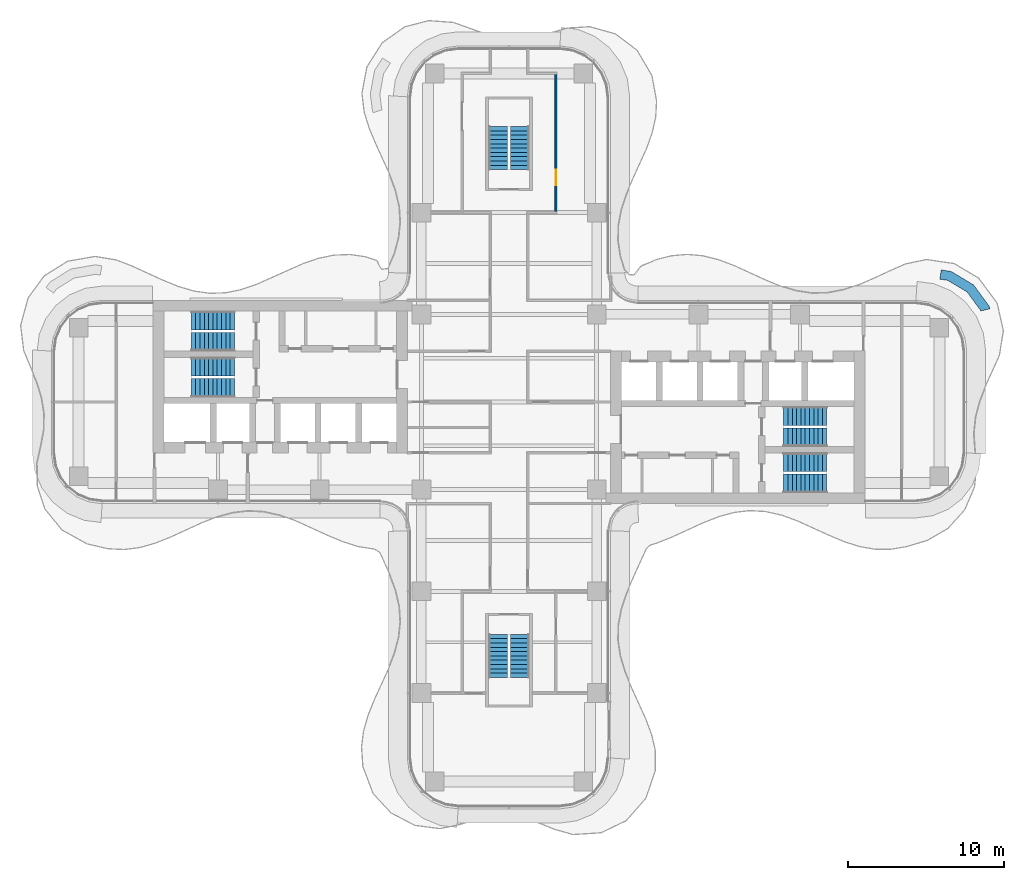
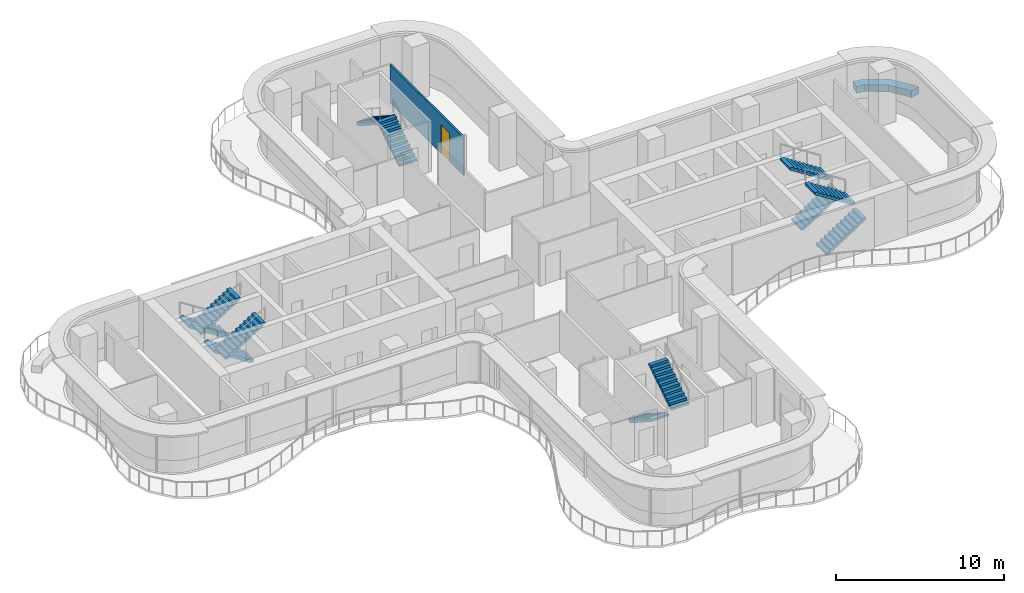
# One storey, part 16 of 18: 12 stair flights, 2 walls, 1 door, 1 opening, 6 elements without a shape of their own.
"""IFC4 building model written with IfcOpenShell, lengths in metres."""

from ifc_helpers import new_model, si_unit, direction, frame, frame_2d, origin, place, context, subcontext, project, spatial, polyline, rectangle, outline, extrude, source, transform, mapped, material, layer, layer_set, type_object, element, fill, aggregate, save


model = new_model("IFC4")

# Units and contexts
model_context = context("Model", 3, precision=1e-05, world=origin(), true_north=direction((0.0, 1.0)))
body_context = subcontext(model_context, "Body", "Model", "MODEL_VIEW")
ifc_project = project(units=[si_unit("LENGTHUNIT", "METRE"), si_unit("AREAUNIT", "SQUARE_METRE"), si_unit("VOLUMEUNIT", "CUBIC_METRE"), si_unit("PLANEANGLEUNIT", "RADIAN"), si_unit("MASSUNIT", "GRAM", prefix="KILO")], contexts=[model_context])

# Site, building, storey
site_placement = place(None, origin())
site = spatial("IfcSite", under=ifc_project, at=site_placement, CompositionType="ELEMENT")
building_placement = place(site_placement, origin())
building = spatial("IfcBuilding", under=site, at=building_placement, Name="Trellis Farm Tower", CompositionType="ELEMENT")
storey_placement = place(building_placement, frame((0.0, 0.0, 204.89990234375)))
storey = spatial("IfcBuildingStorey", under=building, at=storey_placement, Name="L45", CompositionType="ELEMENT", Elevation=204.89990234375)

# Wall
ifc_material_1 = material(Name="Sandstone faced masonry planter", Category="masonry")
ifc_layer_1 = layer(ifc_material_1, 0.60009765625)
ifc_layer_set_1 = layer_set([ifc_layer_1], Name="PLANTER BED 600")
wall_type_1 = type_object("IfcWallType", Name="PLANTER BED 600", PredefinedType="USERDEFINED", material=ifc_layer_set_1)
placement = place(storey_placement, origin())
element("IfcWall", 1, at=placement, inside=storey, type_object=wall_type_1, Name="PLANTER bed", ObjectType="PLANTER", PredefinedType="USERDEFINED", context=body_context, shape_type="SweptSolid", body=[
    extrude(outline(polyline([(28.24072265625, 8.347412109375), (29.680419921875, 7.48779296875), (30.690673828125, 6.113525390625), (30.7275390625, 5.95068359375), (30.14208984375, 5.818359375), (30.133056640625, 5.85888671875), (29.268798828125, 7.03466796875), (28.035400390625, 7.771240234375), (27.529296875, 7.845947265625), (27.61669921875, 8.439453125), (28.24072265625, 8.347412109375)])), origin(), (0.0, 0.0, 1.0), 0.5),
])

# Wall, opening, door
ifc_material_2 = material(Name="Plasterboard on steel studs, mineral wool", Category="steel")
ifc_layer_2 = layer(ifc_material_2, 0.125)
ifc_layer_set_2 = layer_set([ifc_layer_2], Name="PARTITION 125 STUD EI 60")
wall_type_2 = type_object("IfcWallType", Name="PARTITION 125 STUD EI 60", PredefinedType="PARTITIONING", material=ifc_layer_set_2)
shared_shape_1 = source(origin(), body_context, "Body", "SweptSolid", [
    extrude(rectangle(XDim=8.77490234375, YDim=0.125, at=frame_2d((4.387451171875, 0.0))), origin(), (0.0, 0.0, 1.0), 2.780029296875),
])
wall_2_placement = place(storey_placement, frame((3.0, 20.9375, 0.0), z_axis=(0.0, 0.0, 1.0), x_axis=(0.0, -1.0, 0.0)))
wall_2 = element("IfcWall", 2, at=wall_2_placement, inside=storey, type_object=wall_type_2, Name="Partition PW1", PredefinedType="PARTITIONING", context=body_context, shape_type="MappedRepresentation", body=[
    mapped(shared_shape_1, transform((0.0, 0.0, 0.0))),
])
shared_shape_2 = source(origin(), body_context, "Body", "SweptSolid", [
    extrude(rectangle(XDim=1.0, YDim=2.10009765625, at=frame_2d((0.5, 1.050048828125))), frame((0.0, 0.072509765625, 0.0), z_axis=(0.0, -1.0, 0.0), x_axis=(1.0, 0.0, 0.0)), (0.0, 0.0, 1.0), 0.14501953125),
])
opening_placement = place(wall_2_placement, frame((6.08740234375, 0.0, 0.0)))
opening = element("IfcOpeningElement", 3, at=opening_placement, cuts=wall_2, Name="Opening D111", PredefinedType="OPENING", context=body_context, shape_type="MappedRepresentation", body=[
    mapped(shared_shape_2, transform((0.0, 0.0, 0.0))),
])
ifc_material_3 = material(Name="Fire-rated timber door leaf in a hollow metal frame", Category="wood")
door_type = type_object("IfcDoorType", Name="DOOR 1000x2100 FD30S", OperationType="NOTDEFINED", PredefinedType="DOOR", material=ifc_material_3)
shared_shape_3 = source(origin(), body_context, "Body", "SweptSolid", [
    extrude(rectangle(XDim=1.0, YDim=2.10009765625, at=frame_2d((0.5, 1.050048828125))), frame((0.0, 0.02490234375, 0.0), z_axis=(0.0, -1.0, 0.0), x_axis=(1.0, 0.0, 0.0)), (0.0, 0.0, 1.0), 0.050048828125),
])
door_placement = place(opening_placement, origin())
door = element("IfcDoor", 4, at=door_placement, inside=storey, type_object=door_type, Name="Door D111", OperationType="SINGLE_SWING_RIGHT", OverallHeight=2.10009765625, OverallWidth=1.0, PredefinedType="DOOR", context=body_context, shape_type="MappedRepresentation", body=[
    mapped(shared_shape_3, transform((0.0, 0.0, 0.0))),
])
fill(opening, door)

# Stair, stair flights
ifc_material_4 = material(Name="Concrete C50/60", Category="concrete")
stair_type = type_object("IfcStairType", Name="CORE EXIT STAIR 22 RISERS 177 MM", PredefinedType="HALF_TURN_STAIR", material=ifc_material_4)
stair_1 = element("IfcStair", 5, at=placement, inside=storey, type_object=stair_type, Name="Exit stair N", PredefinedType="HALF_TURN_STAIR")
stair_flight_type = type_object("IfcStairFlightType", Name="STAIR FLIGHT 11 RISERS 177 MM", PredefinedType="STRAIGHT", material=ifc_material_4)
shared_shape_4 = source(origin(), body_context, "Body", "SweptSolid", [
    extrude(outline(polyline([(0.0, 0.0), (0.0, 0.17724609375), (0.27490234375, 0.17724609375), (0.27490234375, 0.3544921875), (0.550048828125, 0.3544921875), (0.550048828125, 0.53173828125), (0.824951171875, 0.53173828125), (0.824951171875, 0.708984375), (1.10009765625, 0.708984375), (1.10009765625, 0.886474609375), (1.375, 0.886474609375), (1.375, 1.063720703125), (1.64990234375, 1.063720703125), (1.64990234375, 1.240966796875), (1.925048828125, 1.240966796875), (1.925048828125, 1.418212890625), (2.199951171875, 1.418212890625), (2.199951171875, 1.595458984375), (2.47509765625, 1.595458984375), (2.47509765625, 1.772705078125), (2.75, 1.772705078125), (2.75, 1.949951171875), (2.75, 1.6181640625), (0.23974609375, 0.0), (0.0, 0.0)])), frame((0.0, 0.60009765625, 0.0), z_axis=(0.0, -1.0, 0.0), x_axis=(1.0, 0.0, 0.0)), (0.0, 0.0, 1.0), 1.199951171875),
])
stair_flight_1_placement = place(storey_placement, frame((0.699951171875, 14.85009765625, 0.0), z_axis=(0.0, 0.0, 1.0), x_axis=(0.0, 1.0, 0.0)))
stair_flight_1 = element("IfcStairFlight", 6, at=stair_flight_1_placement, type_object=stair_flight_type, Name="STN flight 1", NumberOfRisers=11, NumberOfTreads=10, PredefinedType="STRAIGHT", RiserHeight=0.177272727, TreadLength=0.275, context=body_context, shape_type="MappedRepresentation", body=[
    mapped(shared_shape_4, transform((0.0, 0.0, 0.0))),
])
stair_flight_2_placement = place(storey_placement, frame((-0.699951171875, 17.60009765625, 1.9501953125), z_axis=(0.0, 0.0, 1.0), x_axis=(0.0, -1.0, 0.0)))
stair_flight_2 = element("IfcStairFlight", 7, at=stair_flight_2_placement, type_object=stair_flight_type, Name="STN flight 2", NumberOfRisers=11, NumberOfTreads=10, PredefinedType="STRAIGHT", RiserHeight=0.177272727, TreadLength=0.275, context=body_context, shape_type="MappedRepresentation", body=[
    mapped(shared_shape_4, transform((0.0, 0.0, 0.0))),
])
aggregate(stair_1, [stair_flight_1, stair_flight_2])

stair_2 = element("IfcStair", 8, at=placement, inside=storey, type_object=stair_type, Name="Exit stair S", PredefinedType="HALF_TURN_STAIR")
stair_flight_3_placement = place(storey_placement, frame((-0.699951171875, -14.85009765625, 0.0), z_axis=(0.0, 0.0, 1.0), x_axis=(0.0, -1.0, 0.0)))
stair_flight_3 = element("IfcStairFlight", 9, at=stair_flight_3_placement, type_object=stair_flight_type, Name="STS flight 1", NumberOfRisers=11, NumberOfTreads=10, PredefinedType="STRAIGHT", RiserHeight=0.177272727, TreadLength=0.275, context=body_context, shape_type="MappedRepresentation", body=[
    mapped(shared_shape_4, transform((0.0, 0.0, 0.0))),
])
stair_flight_4_placement = place(storey_placement, frame((0.699951171875, -17.60009765625, 1.9501953125), z_axis=(0.0, 0.0, 1.0), x_axis=(0.0, 1.0, 0.0)))
stair_flight_4 = element("IfcStairFlight", 10, at=stair_flight_4_placement, type_object=stair_flight_type, Name="STS flight 2", NumberOfRisers=11, NumberOfTreads=10, PredefinedType="STRAIGHT", RiserHeight=0.177272727, TreadLength=0.275, context=body_context, shape_type="MappedRepresentation", body=[
    mapped(shared_shape_4, transform((0.0, 0.0, 0.0))),
])
aggregate(stair_2, [stair_flight_3, stair_flight_4])

stair_3 = element("IfcStair", 11, at=placement, inside=storey, type_object=stair_type, Name="Exit stair E1", PredefinedType="HALF_TURN_STAIR")
stair_flight_5_placement = place(storey_placement, frame((17.550048828125, -5.199951171875, 0.0), z_axis=(0.0, 0.0, 1.0), x_axis=(1.0, 0.0, 0.0)))
stair_flight_5 = element("IfcStairFlight", 12, at=stair_flight_5_placement, type_object=stair_flight_type, Name="STE1 flight 1", NumberOfRisers=11, NumberOfTreads=10, PredefinedType="STRAIGHT", RiserHeight=0.177272727, TreadLength=0.275, context=body_context, shape_type="MappedRepresentation", body=[
    mapped(shared_shape_4, transform((0.0, 0.0, 0.0))),
])
stair_flight_6_placement = place(storey_placement, frame((20.300048828125, -3.85009765625, 1.9501953125), z_axis=(0.0, 0.0, 1.0), x_axis=(-1.0, 0.0, 0.0)))
stair_flight_6 = element("IfcStairFlight", 13, at=stair_flight_6_placement, type_object=stair_flight_type, Name="STE1 flight 2", NumberOfRisers=11, NumberOfTreads=10, PredefinedType="STRAIGHT", RiserHeight=0.177272727, TreadLength=0.275, context=body_context, shape_type="MappedRepresentation", body=[
    mapped(shared_shape_4, transform((0.0, 0.0, 0.0))),
])
aggregate(stair_3, [stair_flight_5, stair_flight_6])

stair_4 = element("IfcStair", 14, at=placement, inside=storey, type_object=stair_type, Name="Exit stair E2", PredefinedType="HALF_TURN_STAIR")
stair_flight_7_placement = place(storey_placement, frame((17.550048828125, -2.25, 0.0), z_axis=(0.0, 0.0, 1.0), x_axis=(1.0, 0.0, 0.0)))
stair_flight_7 = element("IfcStairFlight", 15, at=stair_flight_7_placement, type_object=stair_flight_type, Name="STE2 flight 1", NumberOfRisers=11, NumberOfTreads=10, PredefinedType="STRAIGHT", RiserHeight=0.177272727, TreadLength=0.275, context=body_context, shape_type="MappedRepresentation", body=[
    mapped(shared_shape_4, transform((0.0, 0.0, 0.0))),
])
stair_flight_8_placement = place(storey_placement, frame((20.300048828125, -0.89990234375, 1.9501953125), z_axis=(0.0, 0.0, 1.0), x_axis=(-1.0, 0.0, 0.0)))
stair_flight_8 = element("IfcStairFlight", 16, at=stair_flight_8_placement, type_object=stair_flight_type, Name="STE2 flight 2", NumberOfRisers=11, NumberOfTreads=10, PredefinedType="STRAIGHT", RiserHeight=0.177272727, TreadLength=0.275, context=body_context, shape_type="MappedRepresentation", body=[
    mapped(shared_shape_4, transform((0.0, 0.0, 0.0))),
])
aggregate(stair_4, [stair_flight_7, stair_flight_8])

stair_5 = element("IfcStair", 17, at=placement, inside=storey, type_object=stair_type, Name="Exit stair W1", PredefinedType="HALF_TURN_STAIR")
stair_flight_9_placement = place(storey_placement, frame((-17.550048828125, 5.199951171875, 0.0), z_axis=(0.0, 0.0, 1.0), x_axis=(-1.0, 0.0, 0.0)))
stair_flight_9 = element("IfcStairFlight", 18, at=stair_flight_9_placement, type_object=stair_flight_type, Name="STW1 flight 1", NumberOfRisers=11, NumberOfTreads=10, PredefinedType="STRAIGHT", RiserHeight=0.177272727, TreadLength=0.275, context=body_context, shape_type="MappedRepresentation", body=[
    mapped(shared_shape_4, transform((0.0, 0.0, 0.0))),
])
stair_flight_10_placement = place(storey_placement, frame((-20.300048828125, 3.85009765625, 1.9501953125), z_axis=(0.0, 0.0, 1.0), x_axis=(1.0, 0.0, 0.0)))
stair_flight_10 = element("IfcStairFlight", 19, at=stair_flight_10_placement, type_object=stair_flight_type, Name="STW1 flight 2", NumberOfRisers=11, NumberOfTreads=10, PredefinedType="STRAIGHT", RiserHeight=0.177272727, TreadLength=0.275, context=body_context, shape_type="MappedRepresentation", body=[
    mapped(shared_shape_4, transform((0.0, 0.0, 0.0))),
])
aggregate(stair_5, [stair_flight_9, stair_flight_10])

stair_6 = element("IfcStair", 20, at=placement, inside=storey, type_object=stair_type, Name="Exit stair W2", PredefinedType="HALF_TURN_STAIR")
stair_flight_11_placement = place(storey_placement, frame((-17.550048828125, 2.25, 0.0), z_axis=(0.0, 0.0, 1.0), x_axis=(-1.0, 0.0, 0.0)))
stair_flight_11 = element("IfcStairFlight", 21, at=stair_flight_11_placement, type_object=stair_flight_type, Name="STW2 flight 1", NumberOfRisers=11, NumberOfTreads=10, PredefinedType="STRAIGHT", RiserHeight=0.177272727, TreadLength=0.275, context=body_context, shape_type="MappedRepresentation", body=[
    mapped(shared_shape_4, transform((0.0, 0.0, 0.0))),
])
stair_flight_12_placement = place(storey_placement, frame((-20.300048828125, 0.89990234375, 1.9501953125), z_axis=(0.0, 0.0, 1.0), x_axis=(1.0, 0.0, 0.0)))
stair_flight_12 = element("IfcStairFlight", 22, at=stair_flight_12_placement, type_object=stair_flight_type, Name="STW2 flight 2", NumberOfRisers=11, NumberOfTreads=10, PredefinedType="STRAIGHT", RiserHeight=0.177272727, TreadLength=0.275, context=body_context, shape_type="MappedRepresentation", body=[
    mapped(shared_shape_4, transform((0.0, 0.0, 0.0))),
])
aggregate(stair_6, [stair_flight_11, stair_flight_12])

save(model, "model.ifc")
